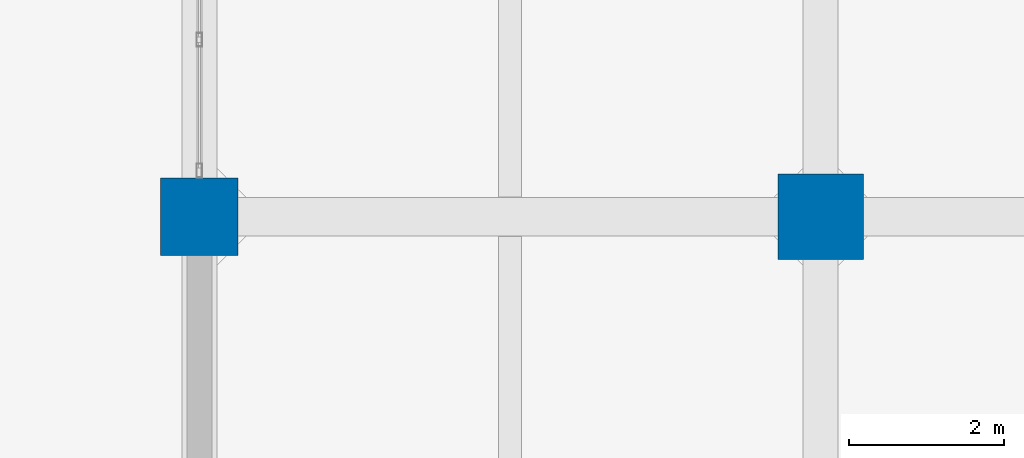
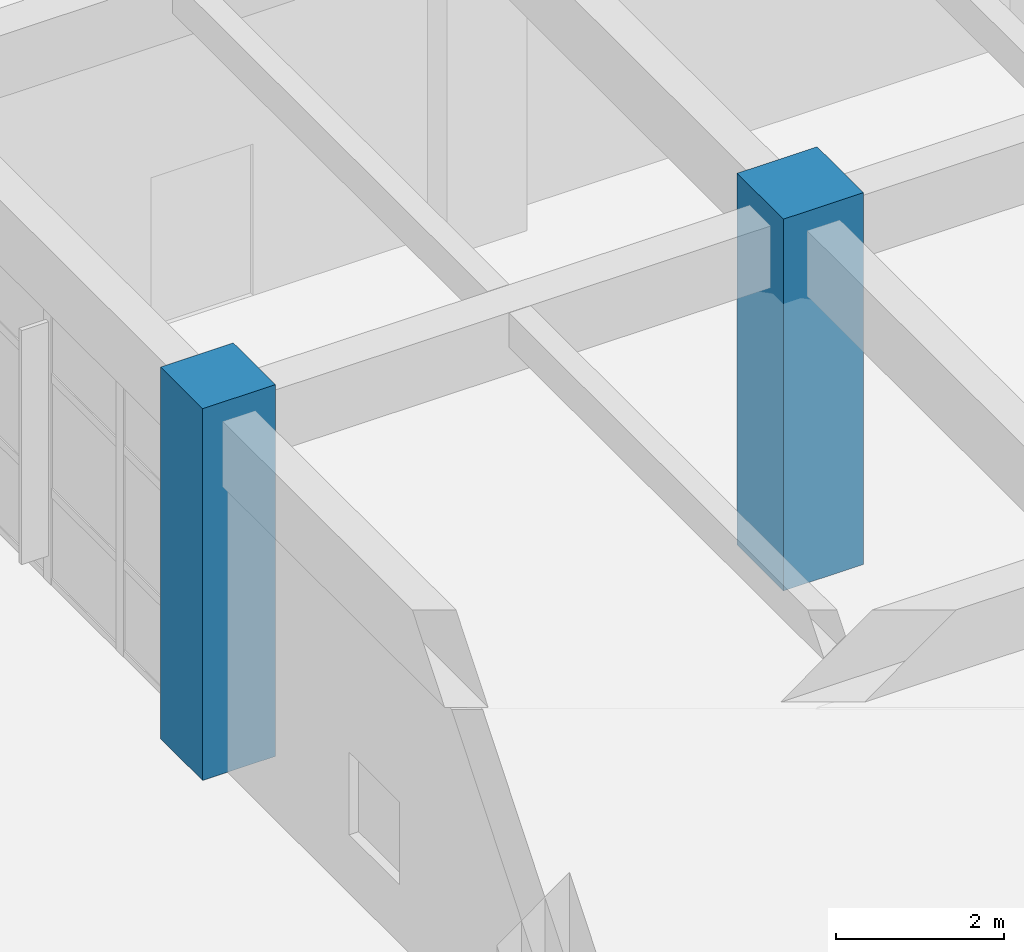
# One storey, part 11 of 90: 2 columns.
"""IFC4 building model written with IfcOpenShell, lengths in metres."""

from ifc_helpers import new_model, si_unit, direction, frame, origin, origin_2d, place, context, subcontext, project, spatial, rectangle, extrude, material, material_profile, profile_set, type_object, element, save


model = new_model("IFC4")

# Units and contexts
model_context = context("Model", 3, precision=1e-05, world=origin(), true_north=direction((0.0, 1.0)))
body_context = subcontext(model_context, "Body", "Model", "MODEL_VIEW")
ifc_project = project(units=[si_unit("LENGTHUNIT", "METRE"), si_unit("AREAUNIT", "SQUARE_METRE"), si_unit("VOLUMEUNIT", "CUBIC_METRE"), si_unit("PLANEANGLEUNIT", "RADIAN"), si_unit("MASSUNIT", "GRAM", prefix="KILO")], contexts=[model_context])

# Site, building, storey
site_placement = place(None, origin())
site = spatial("IfcSite", under=ifc_project, at=site_placement, CompositionType="ELEMENT")
building_placement = place(site_placement, origin())
building = spatial("IfcBuilding", under=site, at=building_placement, Name="Canggui Botanical Conservatory", CompositionType="ELEMENT")
storey_placement = place(building_placement, origin())
storey = spatial("IfcBuildingStorey", under=building, at=storey_placement, Name="L01", CompositionType="ELEMENT", Elevation=0.0)

# Columns
ifc_material = material(Name="Concrete C50", Category="concrete")
ifc_material_profile_1 = material_profile(ifc_material, rectangle(XDim=1.10009765625, YDim=1.10009765625, at=origin_2d()), Name="RC 1100x1100")
ifc_profile_set_1 = profile_set([ifc_material_profile_1], Name="Concrete C50")
column_type_1 = type_object("IfcColumnType", Name="COL-KZ01", PredefinedType="COLUMN", material=ifc_profile_set_1)
column_1_placement = place(storey_placement, frame((138.0, 66.0, 0.0), z_axis=(0.0, 0.0, 1.0), x_axis=(1.0, 0.0, 0.0)))
element("IfcColumn", 1, at=column_1_placement, inside=storey, type_object=column_type_1, Name="Tower RC Column L01 (138,66)", PredefinedType="COLUMN", context=body_context, shape_type="SweptSolid", body=[
    extrude(rectangle(XDim=1.10009765625, YDim=1.10009765625, at=origin_2d()), origin(), (0.0, 0.0, 1.0), 5.39990234375),
])
ifc_material_profile_2 = material_profile(ifc_material, rectangle(XDim=1.0, YDim=1.0, at=origin_2d()), Name="RC 1000x1000")
ifc_profile_set_2 = profile_set([ifc_material_profile_2], Name="Concrete C50")
column_type_2 = type_object("IfcColumnType", Name="COL-KZ03", PredefinedType="COLUMN", material=ifc_profile_set_2)
column_2_placement = place(storey_placement, frame((130.0, 66.0, 0.0), z_axis=(0.0, 0.0, 1.0), x_axis=(1.0, 0.0, 0.0)))
element("IfcColumn", 2, at=column_2_placement, inside=storey, type_object=column_type_2, Name="Tower RC Column L01 (130,66)", PredefinedType="COLUMN", context=body_context, shape_type="SweptSolid", body=[
    extrude(rectangle(XDim=1.0, YDim=1.0, at=origin_2d()), origin(), (0.0, 0.0, 1.0), 5.39990234375),
])

save(model, "model.ifc")
